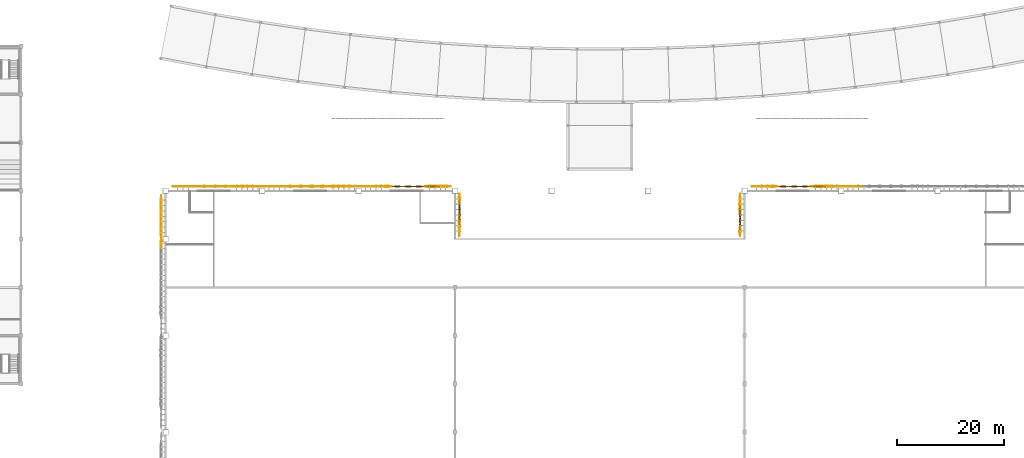
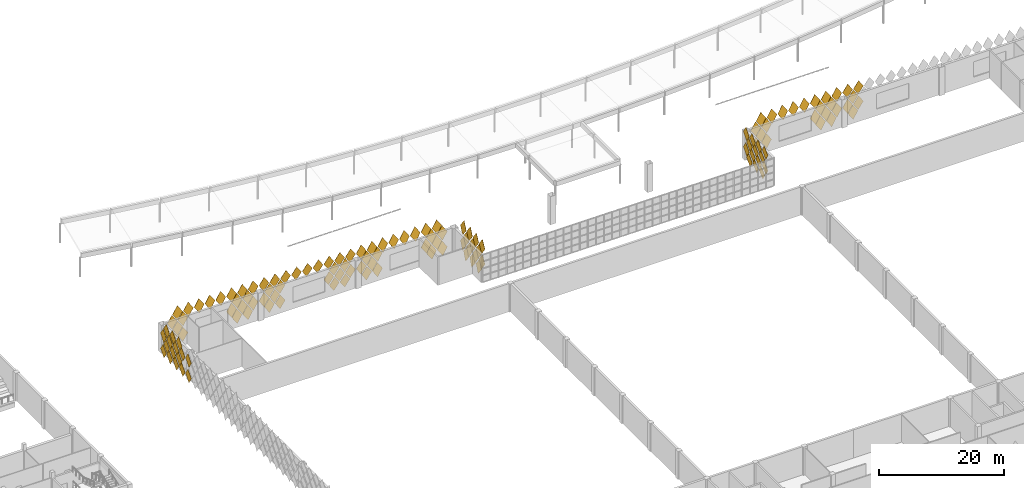
# One storey, part 177 of 185: 132 coverings.
"""IFC4 building model written with IfcOpenShell, lengths in metres."""

from ifc_helpers import new_model, si_unit, direction, frame, origin, place, context, subcontext, project, spatial, polyline, outline, extrude, material, material_profile, profile_set, type_object, element, save


model = new_model("IFC4")

# Units and contexts
model_context = context("Model", 3, precision=1e-05, world=origin(), true_north=direction((0.0, 1.0)))
body_context = subcontext(model_context, "Body", "Model", "MODEL_VIEW")
ifc_project = project(units=[si_unit("LENGTHUNIT", "METRE"), si_unit("AREAUNIT", "SQUARE_METRE"), si_unit("VOLUMEUNIT", "CUBIC_METRE"), si_unit("PLANEANGLEUNIT", "RADIAN"), si_unit("MASSUNIT", "GRAM", prefix="KILO")], contexts=[model_context])

# Site, building, storey
site_placement = place(None, origin())
site = spatial("IfcSite", under=ifc_project, at=site_placement, CompositionType="ELEMENT")
building_placement = place(site_placement, origin())
building = spatial("IfcBuilding", under=site, at=building_placement, Name="Opaline Strait Convention Centre", CompositionType="ELEMENT")
storey_placement = place(building_placement, frame((0.0, 0.0, 6.0)))
storey = spatial("IfcBuildingStorey", under=building, at=storey_placement, Name="L01", CompositionType="ELEMENT", Elevation=6.0)

# Coverings
ifc_material = material(Name="White ceramic-faced aluminium tile", Category="aluminium")
ifc_material_profile_1 = material_profile(ifc_material, outline(polyline([(0.927978515625, 0.0), (0.0, 1.39208984375), (-0.927978515625, 0.0), (0.0, -1.39208984375), (0.927978515625, 0.0)])), Name="Diamond tile 1856x2784")
ifc_profile_set_1 = profile_set([ifc_material_profile_1], Name="White ceramic-faced aluminium tile")
covering_type_1 = type_object("IfcCoveringType", Name="Diamond wall tile 1856x2784x30 pivot 1 deg", PredefinedType="CLADDING", material=ifc_profile_set_1)
for number, where, z_axis, x_axis, name in (
    (1, (103.25, 153.800048828125, 1.39208984375), (0.0, 0.999702690643, -0.024382992455), (-1.0, 0.0, 0.0), "Wall tile XT02 N"),
    (2, (101.25, 153.800048828125, 1.39208984375), (0.0, 0.999867829764, 0.016258013492), (-1.0, 0.0, 0.0), "Wall tile XT02 N"),
    (3, (102.25, 153.800048828125, 2.89208984375), (0.0, 0.999702690643, -0.024382992455), (-1.0, 0.0, 0.0), "Wall tile XT02 N"),
    (4, (101.25, 153.800048828125, 4.39208984375), (0.0, 0.999702690643, -0.024382992455), (-1.0, 0.0, 0.0), "Wall tile XT02 N"),
):
    element("IfcCovering", number, at=place(storey_placement, frame(where, z_axis=z_axis, x_axis=x_axis)), inside=storey, type_object=covering_type_1, Name=name, PredefinedType="CLADDING", context=body_context, shape_type="SweptSolid", body=[
        extrude(outline(polyline([(0.927978515625, 0.0), (0.0, 1.39208984375), (-0.927978515625, 0.0), (0.0, -1.39208984375), (0.927978515625, 0.0)])), origin(), (0.0, 0.0, 1.0), 0.030029296875),
    ])
ifc_material_profile_2 = material_profile(ifc_material, outline(polyline([(0.927978515625, 0.0), (0.0, 1.39208984375), (-0.927978515625, 0.0), (0.0, -1.39208984375), (0.927978515625, 0.0)])), Name="Diamond tile 1856x2784")
ifc_profile_set_2 = profile_set([ifc_material_profile_2], Name="White ceramic-faced aluminium tile")
covering_type_2 = type_object("IfcCoveringType", Name="Diamond wall tile 1856x2784x30 pivot 1.5 deg", PredefinedType="CLADDING", material=ifc_profile_set_2)
for number, where, z_axis, x_axis, name in (
    (5, (98.199951171875, 151.25, 4.39208984375), (-0.999471633277, 0.0, -0.032503142546), (0.0, -1.0, 0.0), "Wall tile XT03 W"),
    (6, (98.199951171875, 150.25, 5.89208984375), (-0.999471633277, 0.0, -0.032503142546), (0.0, -1.0, 0.0), "Wall tile XT03 W"),
):
    element("IfcCovering", number, at=place(storey_placement, frame(where, z_axis=z_axis, x_axis=x_axis)), inside=storey, type_object=covering_type_2, Name=name, PredefinedType="CLADDING", context=body_context, shape_type="SweptSolid", body=[
        extrude(outline(polyline([(0.927978515625, 0.0), (0.0, 1.39208984375), (-0.927978515625, 0.0), (0.0, -1.39208984375), (0.927978515625, 0.0)])), origin(), (0.0, 0.0, 1.0), 0.030029296875),
    ])
ifc_material_profile_3 = material_profile(ifc_material, outline(polyline([(0.927978515625, 0.0), (0.0, 1.39208984375), (-0.927978515625, 0.0), (0.0, -1.39208984375), (0.927978515625, 0.0)])), Name="Diamond tile 1856x2784")
ifc_profile_set_3 = profile_set([ifc_material_profile_3], Name="White ceramic-faced aluminium tile")
covering_type_3 = type_object("IfcCoveringType", Name="Diamond wall tile 1856x2784x30 pivot 2 deg", PredefinedType="CLADDING", material=ifc_profile_set_3)
for number, where, z_axis, x_axis, name in (
    (7, (121.25, 153.800048828125, 1.39208984375), (0.0, 0.999471633277, 0.032503142546), (-1.0, 0.0, 0.0), "Wall tile XT04 N"),
    (8, (119.25, 153.800048828125, 1.39208984375), (0.0, 0.999174794796, -0.040616861577), (-1.0, 0.0, 0.0), "Wall tile XT04 N"),
    (9, (120.25, 153.800048828125, 2.89208984375), (0.0, 0.999471633277, 0.032503142546), (-1.0, 0.0, 0.0), "Wall tile XT04 N"),
    (10, (118.25, 153.800048828125, 2.89208984375), (0.0, 0.999174794796, -0.040616861577), (-1.0, 0.0, 0.0), "Wall tile XT04 N"),
    (11, (119.25, 153.800048828125, 4.39208984375), (0.0, 0.999471633277, 0.032503142546), (-1.0, 0.0, 0.0), "Wall tile XT04 N"),
    (12, (115.25, 153.800048828125, 4.39208984375), (0.0, 0.999174794796, -0.040616861577), (-1.0, 0.0, 0.0), "Wall tile XT04 N"),
    (13, (103.25, 153.800048828125, 4.39208984375), (0.0, 0.999174794796, -0.040616861577), (-1.0, 0.0, 0.0), "Wall tile XT04 N"),
    (14, (118.25, 153.800048828125, 5.89208984375), (0.0, 0.999471633277, 0.032503142546), (-1.0, 0.0, 0.0), "Wall tile XT04 N"),
    (15, (116.25, 153.800048828125, 5.89208984375), (0.0, 0.999174794796, -0.040616861577), (-1.0, 0.0, 0.0), "Wall tile XT04 N"),
    (16, (114.25, 153.800048828125, 5.89208984375), (0.0, 0.999174794796, -0.040616861577), (-1.0, 0.0, 0.0), "Wall tile XT04 N"),
    (17, (102.25, 153.800048828125, 5.89208984375), (0.0, 0.999174794796, -0.040616861577), (-1.0, 0.0, 0.0), "Wall tile XT04 N"),
    (18, (153.800048828125, 145.5, 5.89208984375), (0.999174794796, 0.0, -0.040616861577), (0.0, 1.0, 0.0), "Wall tile XT04 RW"),
    (19, (206.199951171875, 151.5, 5.89208984375), (-0.999174794796, 0.0, -0.040616861577), (0.0, -1.0, 0.0), "Wall tile XT04 RE"),
):
    element("IfcCovering", number, at=place(storey_placement, frame(where, z_axis=z_axis, x_axis=x_axis)), inside=storey, type_object=covering_type_3, Name=name, PredefinedType="CLADDING", context=body_context, shape_type="SweptSolid", body=[
        extrude(outline(polyline([(0.927978515625, 0.0), (0.0, 1.39208984375), (-0.927978515625, 0.0), (0.0, -1.39208984375), (0.927978515625, 0.0)])), origin(), (0.0, 0.0, 1.0), 0.030029296875),
    ])
ifc_material_profile_4 = material_profile(ifc_material, outline(polyline([(0.927978515625, 0.0), (0.0, 1.39208984375), (-0.927978515625, 0.0), (0.0, -1.39208984375), (0.927978515625, 0.0)])), Name="Diamond tile 1856x2784")
ifc_profile_set_4 = profile_set([ifc_material_profile_4], Name="White ceramic-faced aluminium tile")
covering_type_4 = type_object("IfcCoveringType", Name="Diamond wall tile 1856x2784x30 pivot 2.5 deg", PredefinedType="CLADDING", material=ifc_profile_set_4)
for number, where, z_axis, x_axis, name in (
    (20, (227.25, 153.800048828125, 1.39208984375), (0.0, 0.998812351125, -0.048722553713), (-1.0, 0.0, 0.0), "Wall tile XT05 N"),
    (21, (211.25, 153.800048828125, 1.39208984375), (0.0, 0.998812351125, -0.048722553713), (-1.0, 0.0, 0.0), "Wall tile XT05 N"),
    (22, (209.25, 153.800048828125, 1.39208984375), (0.0, 0.999174794796, 0.040616861577), (-1.0, 0.0, 0.0), "Wall tile XT05 N"),
    (23, (139.25, 153.800048828125, 1.39208984375), (0.0, 0.998812351125, -0.048722553713), (-1.0, 0.0, 0.0), "Wall tile XT05 N"),
    (24, (137.25, 153.800048828125, 1.39208984375), (0.0, 0.999174794796, 0.040616861577), (-1.0, 0.0, 0.0), "Wall tile XT05 N"),
    (25, (228.25, 153.800048828125, 2.89208984375), (0.0, 0.999174794796, 0.040616861577), (-1.0, 0.0, 0.0), "Wall tile XT05 N"),
    (26, (226.25, 153.800048828125, 2.89208984375), (0.0, 0.998812351125, -0.048722553713), (-1.0, 0.0, 0.0), "Wall tile XT05 N"),
    (27, (210.25, 153.800048828125, 2.89208984375), (0.0, 0.998812351125, -0.048722553713), (-1.0, 0.0, 0.0), "Wall tile XT05 N"),
    (28, (138.25, 153.800048828125, 2.89208984375), (0.0, 0.998812351125, -0.048722553713), (-1.0, 0.0, 0.0), "Wall tile XT05 N"),
    (29, (136.25, 153.800048828125, 2.89208984375), (0.0, 0.999174794796, 0.040616861577), (-1.0, 0.0, 0.0), "Wall tile XT05 N"),
    (30, (116.25, 153.800048828125, 2.89208984375), (0.0, 0.998812351125, -0.048722553713), (-1.0, 0.0, 0.0), "Wall tile XT05 N"),
    (31, (227.25, 153.800048828125, 4.39208984375), (0.0, 0.999174794796, 0.040616861577), (-1.0, 0.0, 0.0), "Wall tile XT05 N"),
    (32, (209.25, 153.800048828125, 4.39208984375), (0.0, 0.998812351125, -0.048722553713), (-1.0, 0.0, 0.0), "Wall tile XT05 N"),
    (33, (137.25, 153.800048828125, 4.39208984375), (0.0, 0.998812351125, -0.048722553713), (-1.0, 0.0, 0.0), "Wall tile XT05 N"),
    (34, (226.25, 153.800048828125, 5.89208984375), (0.0, 0.999174794796, 0.040616861577), (-1.0, 0.0, 0.0), "Wall tile XT05 N"),
    (35, (224.25, 153.800048828125, 5.89208984375), (0.0, 0.998812351125, -0.048722553713), (-1.0, 0.0, 0.0), "Wall tile XT05 N"),
    (36, (136.25, 153.800048828125, 5.89208984375), (0.0, 0.998812351125, -0.048722553713), (-1.0, 0.0, 0.0), "Wall tile XT05 N"),
    (37, (134.25, 153.800048828125, 5.89208984375), (0.0, 0.999174794796, 0.040616861577), (-1.0, 0.0, 0.0), "Wall tile XT05 N"),
    (38, (120.25, 153.800048828125, 5.89208984375), (0.0, 0.999174794796, 0.040616861577), (-1.0, 0.0, 0.0), "Wall tile XT05 N"),
    (39, (104.25, 153.800048828125, 5.89208984375), (0.0, 0.998812351125, -0.048722553713), (-1.0, 0.0, 0.0), "Wall tile XT05 N"),
    (40, (98.199951171875, 150.25, 2.89208984375), (-0.998812351125, 0.0, -0.048722553713), (0.0, -1.0, 0.0), "Wall tile XT05 W"),
    (41, (98.199951171875, 149.25, 4.39208984375), (-0.998812351125, 0.0, -0.048722553713), (0.0, -1.0, 0.0), "Wall tile XT05 W"),
):
    element("IfcCovering", number, at=place(storey_placement, frame(where, z_axis=z_axis, x_axis=x_axis)), inside=storey, type_object=covering_type_4, Name=name, PredefinedType="CLADDING", context=body_context, shape_type="SweptSolid", body=[
        extrude(outline(polyline([(0.927978515625, 0.0), (0.0, 1.39208984375), (-0.927978515625, 0.0), (0.0, -1.39208984375), (0.927978515625, 0.0)])), origin(), (0.0, 0.0, 1.0), 0.030029296875),
    ])
ifc_material_profile_5 = material_profile(ifc_material, outline(polyline([(0.927978515625, 0.0), (0.0, 1.39208984375), (-0.927978515625, 0.0), (0.0, -1.39208984375), (0.927978515625, 0.0)])), Name="Diamond tile 1856x2784")
ifc_profile_set_5 = profile_set([ifc_material_profile_5], Name="White ceramic-faced aluminium tile")
covering_type_5 = type_object("IfcCoveringType", Name="Diamond wall tile 1856x2784x30 pivot 3 deg", PredefinedType="CLADDING", material=ifc_profile_set_5)
for number, where, z_axis, x_axis, name in (
    (42, (223.25, 153.800048828125, 4.39208984375), (0.0, 0.998384516691, -0.056818631031), (-1.0, 0.0, 0.0), "Wall tile XT06 N"),
    (43, (133.25, 153.800048828125, 4.39208984375), (0.0, 0.998812351125, 0.048722553713), (-1.0, 0.0, 0.0), "Wall tile XT06 N"),
    (44, (121.25, 153.800048828125, 4.39208984375), (0.0, 0.998812351125, 0.048722553713), (-1.0, 0.0, 0.0), "Wall tile XT06 N"),
    (45, (132.25, 153.800048828125, 5.89208984375), (0.0, 0.998812351125, 0.048722553713), (-1.0, 0.0, 0.0), "Wall tile XT06 N"),
    (46, (98.199951171875, 151.25, 1.39208984375), (-0.998384516691, 0.0, -0.056818631031), (0.0, -1.0, 0.0), "Wall tile XT06 W"),
    (47, (98.199951171875, 148.25, 5.89208984375), (-0.998384516691, 0.0, -0.056818631031), (0.0, -1.0, 0.0), "Wall tile XT06 W"),
):
    element("IfcCovering", number, at=place(storey_placement, frame(where, z_axis=z_axis, x_axis=x_axis)), inside=storey, type_object=covering_type_5, Name=name, PredefinedType="CLADDING", context=body_context, shape_type="SweptSolid", body=[
        extrude(outline(polyline([(0.927978515625, 0.0), (0.0, 1.39208984375), (-0.927978515625, 0.0), (0.0, -1.39208984375), (0.927978515625, 0.0)])), origin(), (0.0, 0.0, 1.0), 0.030029296875),
    ])
ifc_material_profile_6 = material_profile(ifc_material, outline(polyline([(0.927978515625, 0.0), (0.0, 1.39208984375), (-0.927978515625, 0.0), (0.0, -1.39208984375), (0.927978515625, 0.0)])), Name="Diamond tile 1856x2784")
ifc_profile_set_6 = profile_set([ifc_material_profile_6], Name="White ceramic-faced aluminium tile")
covering_type_6 = type_object("IfcCoveringType", Name="Diamond wall tile 1856x2784x30 pivot 3.5 deg", PredefinedType="CLADDING", material=ifc_profile_set_6)
for number, where, z_axis, x_axis, name in (
    (48, (115.25, 153.800048828125, 1.39208984375), (0.0, 0.99785694905, -0.065433242561), (-1.0, 0.0, 0.0), "Wall tile XT07 N"),
    (49, (224.25, 153.800048828125, 2.89208984375), (0.0, 0.99785694905, -0.065433242561), (-1.0, 0.0, 0.0), "Wall tile XT07 N"),
    (50, (134.25, 153.800048828125, 2.89208984375), (0.0, 0.99835799028, 0.057282835508), (-1.0, 0.0, 0.0), "Wall tile XT07 N"),
    (51, (114.25, 153.800048828125, 2.89208984375), (0.0, 0.99785694905, -0.065433242561), (-1.0, 0.0, 0.0), "Wall tile XT07 N"),
    (52, (151.25, 153.800048828125, 4.39208984375), (0.0, 0.99785694905, -0.065433242561), (-1.0, 0.0, 0.0), "Wall tile XT07 N"),
    (53, (139.25, 153.800048828125, 4.39208984375), (0.0, 0.99785694905, -0.065433242561), (-1.0, 0.0, 0.0), "Wall tile XT07 N"),
    (54, (113.25, 153.800048828125, 4.39208984375), (0.0, 0.99785694905, -0.065433242561), (-1.0, 0.0, 0.0), "Wall tile XT07 N"),
    (55, (228.25, 153.800048828125, 5.89208984375), (0.0, 0.99835799028, 0.057282835508), (-1.0, 0.0, 0.0), "Wall tile XT07 N"),
    (56, (222.25, 153.800048828125, 5.89208984375), (0.0, 0.99785694905, -0.065433242561), (-1.0, 0.0, 0.0), "Wall tile XT07 N"),
    (57, (150.25, 153.800048828125, 5.89208984375), (0.0, 0.99785694905, -0.065433242561), (-1.0, 0.0, 0.0), "Wall tile XT07 N"),
    (58, (138.25, 153.800048828125, 5.89208984375), (0.0, 0.99785694905, -0.065433242561), (-1.0, 0.0, 0.0), "Wall tile XT07 N"),
    (59, (112.25, 153.800048828125, 5.89208984375), (0.0, 0.99785694905, -0.065433242561), (-1.0, 0.0, 0.0), "Wall tile XT07 N"),
    (60, (110.25, 153.800048828125, 5.89208984375), (0.0, 0.99785694905, -0.065433242561), (-1.0, 0.0, 0.0), "Wall tile XT07 N"),
    (61, (98.199951171875, 149.25, 1.39208984375), (-0.99785694905, 0.0, -0.065433242561), (0.0, -1.0, 0.0), "Wall tile XT07 W"),
    (62, (98.199951171875, 143.25, 1.39208984375), (-0.99785694905, 0.0, -0.065433242561), (0.0, -1.0, 0.0), "Wall tile XT07 W"),
    (63, (98.199951171875, 147.25, 4.39208984375), (-0.99785694905, 0.0, -0.065433242561), (0.0, -1.0, 0.0), "Wall tile XT07 W"),
    (64, (98.199951171875, 146.25, 5.89208984375), (-0.99785694905, 0.0, -0.065433242561), (0.0, -1.0, 0.0), "Wall tile XT07 W"),
    (65, (153.800048828125, 145.5, 2.89208984375), (0.99785694905, 0.0, -0.065433242561), (0.0, 1.0, 0.0), "Wall tile XT07 RW"),
    (66, (206.199951171875, 151.5, 2.89208984375), (-0.99785694905, 0.0, -0.065433242561), (0.0, -1.0, 0.0), "Wall tile XT07 RE"),
):
    element("IfcCovering", number, at=place(storey_placement, frame(where, z_axis=z_axis, x_axis=x_axis)), inside=storey, type_object=covering_type_6, Name=name, PredefinedType="CLADDING", context=body_context, shape_type="SweptSolid", body=[
        extrude(outline(polyline([(0.927978515625, 0.0), (0.0, 1.39208984375), (-0.927978515625, 0.0), (0.0, -1.39208984375), (0.927978515625, 0.0)])), origin(), (0.0, 0.0, 1.0), 0.02978515625),
    ])
ifc_material_profile_7 = material_profile(ifc_material, outline(polyline([(0.927978515625, 0.0), (0.0, 1.39208984375), (-0.927978515625, 0.0), (0.0, -1.39208984375), (0.927978515625, 0.0)])), Name="Diamond tile 1856x2784")
ifc_profile_set_7 = profile_set([ifc_material_profile_7], Name="White ceramic-faced aluminium tile")
covering_type_7 = type_object("IfcCoveringType", Name="Diamond wall tile 1856x2784x30 pivot 4 deg", PredefinedType="CLADDING", material=ifc_profile_set_7)
for number, where, z_axis, x_axis, name in (
    (67, (112.25, 153.800048828125, 2.89208984375), (0.0, 0.997290013252, -0.073570574748), (-1.0, 0.0, 0.0), "Wall tile XT08 N"),
    (68, (211.25, 153.800048828125, 4.39208984375), (0.0, 0.997290013252, -0.073570574748), (-1.0, 0.0, 0.0), "Wall tile XT08 N"),
    (69, (210.25, 153.800048828125, 5.89208984375), (0.0, 0.997290013252, -0.073570574748), (-1.0, 0.0, 0.0), "Wall tile XT08 N"),
    (70, (108.25, 153.800048828125, 5.89208984375), (0.0, 0.997290013252, -0.073570574748), (-1.0, 0.0, 0.0), "Wall tile XT08 N"),
    (71, (106.25, 153.800048828125, 5.89208984375), (0.0, 0.997290013252, -0.073570574748), (-1.0, 0.0, 0.0), "Wall tile XT08 N"),
    (72, (98.199951171875, 147.25, 1.39208984375), (-0.997290013252, 0.0, -0.073570574748), (0.0, -1.0, 0.0), "Wall tile XT08 W"),
    (73, (98.199951171875, 145.25, 1.39208984375), (-0.997290013252, 0.0, -0.073570574748), (0.0, -1.0, 0.0), "Wall tile XT08 W"),
    (74, (98.199951171875, 148.25, 2.89208984375), (-0.997290013252, 0.0, -0.073570574748), (0.0, -1.0, 0.0), "Wall tile XT08 W"),
    (75, (98.199951171875, 146.25, 2.89208984375), (-0.997290013252, 0.0, -0.073570574748), (0.0, -1.0, 0.0), "Wall tile XT08 W"),
    (76, (98.199951171875, 143.25, 4.39208984375), (-0.997290013252, 0.0, -0.073570574748), (0.0, -1.0, 0.0), "Wall tile XT08 W"),
    (77, (153.800048828125, 146.5, 4.39208984375), (0.997290013252, 0.0, -0.073570574748), (0.0, 1.0, 0.0), "Wall tile XT08 RW"),
    (78, (206.199951171875, 150.5, 4.39208984375), (-0.997290013252, 0.0, -0.073570574748), (0.0, -1.0, 0.0), "Wall tile XT08 RE"),
):
    element("IfcCovering", number, at=place(storey_placement, frame(where, z_axis=z_axis, x_axis=x_axis)), inside=storey, type_object=covering_type_7, Name=name, PredefinedType="CLADDING", context=body_context, shape_type="SweptSolid", body=[
        extrude(outline(polyline([(0.927978515625, 0.0), (0.0, 1.39208984375), (-0.927978515625, 0.0), (0.0, -1.39208984375), (0.927978515625, 0.0)])), origin(), (0.0, 0.0, 1.0), 0.02978515625),
    ])
ifc_material_profile_8 = material_profile(ifc_material, outline(polyline([(0.927978515625, 0.0), (0.0, 1.39208984375), (-0.927978515625, 0.0), (0.0, -1.39208984375), (0.927978515625, 0.0)])), Name="Diamond tile 1856x2784")
ifc_profile_set_8 = profile_set([ifc_material_profile_8], Name="White ceramic-faced aluminium tile")
covering_type_8 = type_object("IfcCoveringType", Name="Diamond wall tile 1856x2784x30 pivot 4.5 deg", PredefinedType="CLADDING", material=ifc_profile_set_8)
for number, where, z_axis, x_axis, name in (
    (79, (113.25, 153.800048828125, 1.39208984375), (0.0, 0.996657521232, -0.081693239445), (-1.0, 0.0, 0.0), "Wall tile XT09 N"),
    (80, (131.25, 153.800048828125, 4.39208984375), (0.0, 0.997290013252, 0.073570574748), (-1.0, 0.0, 0.0), "Wall tile XT09 N"),
    (81, (130.25, 153.800048828125, 5.89208984375), (0.0, 0.997290013252, 0.073570574748), (-1.0, 0.0, 0.0), "Wall tile XT09 N"),
    (82, (122.25, 153.800048828125, 5.89208984375), (0.0, 0.997290013252, 0.073570574748), (-1.0, 0.0, 0.0), "Wall tile XT09 N"),
    (83, (98.199951171875, 145.25, 4.39208984375), (-0.996657521232, 0.0, -0.081693239445), (0.0, -1.0, 0.0), "Wall tile XT09 W"),
    (84, (153.800048828125, 147.5, 5.89208984375), (0.996657521232, 0.0, -0.081693239445), (0.0, 1.0, 0.0), "Wall tile XT09 RW"),
    (85, (206.199951171875, 149.5, 5.89208984375), (-0.996657521232, 0.0, -0.081693239445), (0.0, -1.0, 0.0), "Wall tile XT09 RE"),
):
    element("IfcCovering", number, at=place(storey_placement, frame(where, z_axis=z_axis, x_axis=x_axis)), inside=storey, type_object=covering_type_8, Name=name, PredefinedType="CLADDING", context=body_context, shape_type="SweptSolid", body=[
        extrude(outline(polyline([(0.927978515625, 0.0), (0.0, 1.39208984375), (-0.927978515625, 0.0), (0.0, -1.39208984375), (0.927978515625, 0.0)])), origin(), (0.0, 0.0, 1.0), 0.02978515625),
    ])
ifc_material_profile_9 = material_profile(ifc_material, outline(polyline([(0.927978515625, 0.0), (0.0, 1.39208984375), (-0.927978515625, 0.0), (0.0, -1.39208984375), (0.927978515625, 0.0)])), Name="Diamond tile 1856x2784")
ifc_profile_set_9 = profile_set([ifc_material_profile_9], Name="White ceramic-faced aluminium tile")
covering_type_9 = type_object("IfcCoveringType", Name="Diamond wall tile 1856x2784x30 pivot 5 deg", PredefinedType="CLADDING", material=ifc_profile_set_9)
for number, where, z_axis, x_axis, name in (
    (86, (223.25, 153.800048828125, 1.39208984375), (0.0, 0.995959849254, -0.089799658539), (-1.0, 0.0, 0.0), "Wall tile XT10 N"),
    (87, (133.25, 153.800048828125, 1.39208984375), (0.0, 0.996657521232, 0.081693239445), (-1.0, 0.0, 0.0), "Wall tile XT10 N"),
    (88, (132.25, 153.800048828125, 2.89208984375), (0.0, 0.996657521232, 0.081693239445), (-1.0, 0.0, 0.0), "Wall tile XT10 N"),
    (89, (220.25, 153.800048828125, 5.89208984375), (0.0, 0.995959849254, -0.089799658539), (-1.0, 0.0, 0.0), "Wall tile XT10 N"),
    (90, (124.25, 153.800048828125, 5.89208984375), (0.0, 0.996657521232, 0.081693239445), (-1.0, 0.0, 0.0), "Wall tile XT10 N"),
):
    element("IfcCovering", number, at=place(storey_placement, frame(where, z_axis=z_axis, x_axis=x_axis)), inside=storey, type_object=covering_type_9, Name=name, PredefinedType="CLADDING", context=body_context, shape_type="SweptSolid", body=[
        extrude(outline(polyline([(0.927978515625, 0.0), (0.0, 1.39208984375), (-0.927978515625, 0.0), (0.0, -1.39208984375), (0.927978515625, 0.0)])), origin(), (0.0, 0.0, 1.0), 0.02978515625),
    ])
ifc_material_profile_10 = material_profile(ifc_material, outline(polyline([(0.927978515625, 0.0), (0.0, 1.39208984375), (-0.927978515625, 0.0), (0.0, -1.39208984375), (0.927978515625, 0.0)])), Name="Diamond tile 1856x2784")
ifc_profile_set_10 = profile_set([ifc_material_profile_10], Name="White ceramic-faced aluminium tile")
covering_type_10 = type_object("IfcCoveringType", Name="Diamond wall tile 1856x2784x30 pivot 5.5 deg", PredefinedType="CLADDING", material=ifc_profile_set_10)
covering_1_placement = place(storey_placement, frame((131.25, 153.800048828125, 1.39208984375), z_axis=(0.0, 0.995959849254, 0.089799658539), x_axis=(-1.0, 0.0, 0.0)))
element("IfcCovering", 91, at=covering_1_placement, inside=storey, type_object=covering_type_10, Name="Wall tile XT11 N", PredefinedType="CLADDING", context=body_context, shape_type="SweptSolid", body=[
    extrude(outline(polyline([(0.927978515625, 0.0), (0.0, 1.39208984375), (-0.927978515625, 0.0), (0.0, -1.39208984375), (0.927978515625, 0.0)])), origin(), (0.0, 0.0, 1.0), 0.02978515625),
])
covering_2_placement = place(storey_placement, frame((222.25, 153.800048828125, 2.89208984375), z_axis=(0.0, 0.995197410875, -0.097888269922), x_axis=(-1.0, 0.0, 0.0)))
element("IfcCovering", 92, at=covering_2_placement, inside=storey, type_object=covering_type_10, Name="Wall tile XT11 N", PredefinedType="CLADDING", context=body_context, shape_type="SweptSolid", body=[
    extrude(outline(polyline([(0.927978515625, 0.0), (0.0, 1.39208984375), (-0.927978515625, 0.0), (0.0, -1.39208984375), (0.927978515625, 0.0)])), origin(), (0.0, 0.0, 1.0), 0.030029296875),
])
covering_3_placement = place(storey_placement, frame((130.25, 153.800048828125, 2.89208984375), z_axis=(0.0, 0.995959849254, 0.089799658539), x_axis=(-1.0, 0.0, 0.0)))
element("IfcCovering", 93, at=covering_3_placement, inside=storey, type_object=covering_type_10, Name="Wall tile XT11 N", PredefinedType="CLADDING", context=body_context, shape_type="SweptSolid", body=[
    extrude(outline(polyline([(0.927978515625, 0.0), (0.0, 1.39208984375), (-0.927978515625, 0.0), (0.0, -1.39208984375), (0.927978515625, 0.0)])), origin(), (0.0, 0.0, 1.0), 0.02978515625),
])
for number, where, z_axis, x_axis, name in (
    (94, (221.25, 153.800048828125, 4.39208984375), (0.0, 0.995197410875, -0.097888269922), (-1.0, 0.0, 0.0), "Wall tile XT11 N"),
    (95, (149.25, 153.800048828125, 4.39208984375), (0.0, 0.995197410875, -0.097888269922), (-1.0, 0.0, 0.0), "Wall tile XT11 N"),
    (96, (148.25, 153.800048828125, 5.89208984375), (0.0, 0.995197410875, -0.097888269922), (-1.0, 0.0, 0.0), "Wall tile XT11 N"),
    (97, (140.25, 153.800048828125, 5.89208984375), (0.0, 0.995197410875, -0.097888269922), (-1.0, 0.0, 0.0), "Wall tile XT11 N"),
):
    element("IfcCovering", number, at=place(storey_placement, frame(where, z_axis=z_axis, x_axis=x_axis)), inside=storey, type_object=covering_type_10, Name=name, PredefinedType="CLADDING", context=body_context, shape_type="SweptSolid", body=[
        extrude(outline(polyline([(0.927978515625, 0.0), (0.0, 1.39208984375), (-0.927978515625, 0.0), (0.0, -1.39208984375), (0.927978515625, 0.0)])), origin(), (0.0, 0.0, 1.0), 0.030029296875),
    ])
covering_4_placement = place(storey_placement, frame((128.25, 153.800048828125, 5.89208984375), z_axis=(0.0, 0.995959849254, 0.089799658539), x_axis=(-1.0, 0.0, 0.0)))
element("IfcCovering", 98, at=covering_4_placement, inside=storey, type_object=covering_type_10, Name="Wall tile XT11 N", PredefinedType="CLADDING", context=body_context, shape_type="SweptSolid", body=[
    extrude(outline(polyline([(0.927978515625, 0.0), (0.0, 1.39208984375), (-0.927978515625, 0.0), (0.0, -1.39208984375), (0.927978515625, 0.0)])), origin(), (0.0, 0.0, 1.0), 0.02978515625),
])
ifc_material_profile_11 = material_profile(ifc_material, outline(polyline([(0.927978515625, 0.0), (0.0, 1.39208984375), (-0.927978515625, 0.0), (0.0, -1.39208984375), (0.927978515625, 0.0)])), Name="Diamond tile 1856x2784")
ifc_profile_set_11 = profile_set([ifc_material_profile_11], Name="White ceramic-faced aluminium tile")
covering_type_11 = type_object("IfcCoveringType", Name="Diamond wall tile 1856x2784x30 pivot 6 deg", PredefinedType="CLADDING", material=ifc_profile_set_11)
for number, where, z_axis, x_axis, name in (
    (99, (151.25, 153.800048828125, 1.39208984375), (0.0, 0.994370656274, -0.105957528947), (-1.0, 0.0, 0.0), "Wall tile XT12 N"),
    (100, (150.25, 153.800048828125, 2.89208984375), (0.0, 0.994370656274, -0.105957528947), (-1.0, 0.0, 0.0), "Wall tile XT12 N"),
    (101, (212.25, 153.800048828125, 5.89208984375), (0.0, 0.994370656274, -0.105957528947), (-1.0, 0.0, 0.0), "Wall tile XT12 N"),
    (102, (126.25, 153.800048828125, 5.89208984375), (0.0, 0.995197410875, 0.097888269922), (-1.0, 0.0, 0.0), "Wall tile XT12 N"),
    (103, (153.800048828125, 146.5, 1.39208984375), (0.994370656274, 0.0, -0.105957528947), (0.0, 1.0, 0.0), "Wall tile XT12 RW"),
    (104, (153.800048828125, 151.5, 2.89208984375), (0.994370656274, 0.0, -0.105957528947), (0.0, 1.0, 0.0), "Wall tile XT12 RW"),
    (105, (153.800048828125, 151.5, 5.89208984375), (0.994370656274, 0.0, -0.105957528947), (0.0, 1.0, 0.0), "Wall tile XT12 RW"),
    (106, (206.199951171875, 150.5, 1.39208984375), (-0.994370656274, 0.0, -0.105957528947), (0.0, -1.0, 0.0), "Wall tile XT12 RE"),
    (107, (206.199951171875, 145.5, 2.89208984375), (-0.994370656274, 0.0, -0.105957528947), (0.0, -1.0, 0.0), "Wall tile XT12 RE"),
    (108, (206.199951171875, 145.5, 5.89208984375), (-0.994370656274, 0.0, -0.105957528947), (0.0, -1.0, 0.0), "Wall tile XT12 RE"),
):
    element("IfcCovering", number, at=place(storey_placement, frame(where, z_axis=z_axis, x_axis=x_axis)), inside=storey, type_object=covering_type_11, Name=name, PredefinedType="CLADDING", context=body_context, shape_type="SweptSolid", body=[
        extrude(outline(polyline([(0.927978515625, 0.0), (0.0, 1.39208984375), (-0.927978515625, 0.0), (0.0, -1.39208984375), (0.927978515625, 0.0)])), origin(), (0.0, 0.0, 1.0), 0.030029296875),
    ])
ifc_material_profile_12 = material_profile(ifc_material, outline(polyline([(0.927978515625, 0.0), (0.0, 1.39208984375), (-0.927978515625, 0.0), (0.0, -1.39208984375), (0.927978515625, 0.0)])), Name="Diamond tile 1856x2784")
ifc_profile_set_12 = profile_set([ifc_material_profile_12], Name="White ceramic-faced aluminium tile")
covering_type_12 = type_object("IfcCoveringType", Name="Diamond wall tile 1856x2784x30 pivot 6.5 deg", PredefinedType="CLADDING", material=ifc_profile_set_12)
for number, where, z_axis, x_axis, name in (
    (109, (221.25, 153.800048828125, 1.39208984375), (0.0, 0.993480071526, -0.114005909847), (-1.0, 0.0, 0.0), "Wall tile XT13 N"),
    (110, (220.25, 153.800048828125, 2.89208984375), (0.0, 0.993480071526, -0.114005909847), (-1.0, 0.0, 0.0), "Wall tile XT13 N"),
    (111, (218.25, 153.800048828125, 5.89208984375), (0.0, 0.993480071526, -0.114005909847), (-1.0, 0.0, 0.0), "Wall tile XT13 N"),
    (112, (142.25, 153.800048828125, 5.89208984375), (0.0, 0.993480071526, -0.114005909847), (-1.0, 0.0, 0.0), "Wall tile XT13 N"),
    (113, (153.800048828125, 149.5, 5.89208984375), (0.993480071526, 0.0, -0.114005909847), (0.0, 1.0, 0.0), "Wall tile XT13 RW"),
    (114, (206.199951171875, 147.5, 5.89208984375), (-0.993480071526, 0.0, -0.114005909847), (0.0, -1.0, 0.0), "Wall tile XT13 RE"),
):
    element("IfcCovering", number, at=place(storey_placement, frame(where, z_axis=z_axis, x_axis=x_axis)), inside=storey, type_object=covering_type_12, Name=name, PredefinedType="CLADDING", context=body_context, shape_type="SweptSolid", body=[
        extrude(outline(polyline([(0.927978515625, 0.0), (0.0, 1.39208984375), (-0.927978515625, 0.0), (0.0, -1.39208984375), (0.927978515625, 0.0)])), origin(), (0.0, 0.0, 1.0), 0.030029296875),
    ])
ifc_material_profile_13 = material_profile(ifc_material, outline(polyline([(0.927978515625, 0.0), (0.0, 1.39208984375), (-0.927978515625, 0.0), (0.0, -1.39208984375), (0.927978515625, 0.0)])), Name="Diamond tile 1856x2784")
ifc_profile_set_13 = profile_set([ifc_material_profile_13], Name="White ceramic-faced aluminium tile")
covering_type_13 = type_object("IfcCoveringType", Name="Diamond wall tile 1856x2784x30 pivot 7 deg", PredefinedType="CLADDING", material=ifc_profile_set_13)
for number, where, z_axis, x_axis, name in (
    (115, (149.25, 153.800048828125, 1.39208984375), (0.0, 0.992526177815, -0.122031907108), (-1.0, 0.0, 0.0), "Wall tile XT14 N"),
    (116, (148.25, 153.800048828125, 2.89208984375), (0.0, 0.992526177815, -0.122031907108), (-1.0, 0.0, 0.0), "Wall tile XT14 N"),
    (117, (216.25, 153.800048828125, 5.89208984375), (0.0, 0.992526177815, -0.122031907108), (-1.0, 0.0, 0.0), "Wall tile XT14 N"),
    (118, (214.25, 153.800048828125, 5.89208984375), (0.0, 0.992526177815, -0.122031907108), (-1.0, 0.0, 0.0), "Wall tile XT14 N"),
    (119, (146.25, 153.800048828125, 5.89208984375), (0.0, 0.992526177815, -0.122031907108), (-1.0, 0.0, 0.0), "Wall tile XT14 N"),
    (120, (144.25, 153.800048828125, 5.89208984375), (0.0, 0.992526177815, -0.122031907108), (-1.0, 0.0, 0.0), "Wall tile XT14 N"),
    (121, (153.800048828125, 150.5, 1.39208984375), (0.992526177815, 0.0, -0.122031907108), (0.0, 1.0, 0.0), "Wall tile XT14 RW"),
    (122, (153.800048828125, 147.5, 2.89208984375), (0.992526177815, 0.0, -0.122031907108), (0.0, 1.0, 0.0), "Wall tile XT14 RW"),
    (123, (153.800048828125, 148.5, 4.39208984375), (0.992526177815, 0.0, -0.122031907108), (0.0, 1.0, 0.0), "Wall tile XT14 RW"),
    (124, (153.800048828125, 150.5, 4.39208984375), (0.992526177815, 0.0, -0.122031907108), (0.0, 1.0, 0.0), "Wall tile XT14 RW"),
    (125, (206.199951171875, 146.5, 1.39208984375), (-0.992526177815, 0.0, -0.122031907108), (0.0, -1.0, 0.0), "Wall tile XT14 RE"),
    (126, (206.199951171875, 149.5, 2.89208984375), (-0.992526177815, 0.0, -0.122031907108), (0.0, -1.0, 0.0), "Wall tile XT14 RE"),
    (127, (206.199951171875, 148.5, 4.39208984375), (-0.992526177815, 0.0, -0.122031907108), (0.0, -1.0, 0.0), "Wall tile XT14 RE"),
    (128, (206.199951171875, 146.5, 4.39208984375), (-0.992526177815, 0.0, -0.122031907108), (0.0, -1.0, 0.0), "Wall tile XT14 RE"),
):
    element("IfcCovering", number, at=place(storey_placement, frame(where, z_axis=z_axis, x_axis=x_axis)), inside=storey, type_object=covering_type_13, Name=name, PredefinedType="CLADDING", context=body_context, shape_type="SweptSolid", body=[
        extrude(outline(polyline([(0.927978515625, 0.0), (0.0, 1.39208984375), (-0.927978515625, 0.0), (0.0, -1.39208984375), (0.927978515625, 0.0)])), origin(), (0.0, 0.0, 1.0), 0.030029296875),
    ])
ifc_material_profile_14 = material_profile(ifc_material, outline(polyline([(0.927978515625, 0.0), (0.0, 1.39208984375), (-0.927978515625, 0.0), (0.0, -1.39208984375), (0.927978515625, 0.0)])), Name="Diamond tile 1856x2784")
ifc_profile_set_14 = profile_set([ifc_material_profile_14], Name="White ceramic-faced aluminium tile")
covering_type_14 = type_object("IfcCoveringType", Name="Diamond wall tile 1856x2784x30 pivot 8 deg", PredefinedType="CLADDING", material=ifc_profile_set_14)
for number, where, z_axis, x_axis, name in (
    (129, (153.800048828125, 149.5, 2.89208984375), (0.990274204789, 0.0, -0.139129433731), (0.0, 1.0, 0.0), "Wall tile XT16 RW"),
    (130, (206.199951171875, 147.5, 2.89208984375), (-0.990274204789, 0.0, -0.139129433731), (0.0, -1.0, 0.0), "Wall tile XT16 RE"),
):
    element("IfcCovering", number, at=place(storey_placement, frame(where, z_axis=z_axis, x_axis=x_axis)), inside=storey, type_object=covering_type_14, Name=name, PredefinedType="CLADDING", context=body_context, shape_type="SweptSolid", body=[
        extrude(outline(polyline([(0.927978515625, 0.0), (0.0, 1.39208984375), (-0.927978515625, 0.0), (0.0, -1.39208984375), (0.927978515625, 0.0)])), origin(), (0.0, 0.0, 1.0), 0.02978515625),
    ])
ifc_material_profile_15 = material_profile(ifc_material, outline(polyline([(0.927978515625, 0.0), (0.0, 1.39208984375), (-0.927978515625, 0.0), (0.0, -1.39208984375), (0.927978515625, 0.0)])), Name="Diamond tile 1856x2784")
ifc_profile_set_15 = profile_set([ifc_material_profile_15], Name="White ceramic-faced aluminium tile")
covering_type_15 = type_object("IfcCoveringType", Name="Diamond wall tile 1856x2784x30 pivot 8.5 deg", PredefinedType="CLADDING", material=ifc_profile_set_15)
for number, where, z_axis, x_axis, name in (
    (131, (153.800048828125, 148.5, 1.39208984375), (0.987895005451, 0.0, -0.15512400912), (0.0, 1.0, 0.0), "Wall tile XT17 RW"),
    (132, (206.199951171875, 148.5, 1.39208984375), (-0.987895005451, 0.0, -0.15512400912), (0.0, -1.0, 0.0), "Wall tile XT17 RE"),
):
    element("IfcCovering", number, at=place(storey_placement, frame(where, z_axis=z_axis, x_axis=x_axis)), inside=storey, type_object=covering_type_15, Name=name, PredefinedType="CLADDING", context=body_context, shape_type="SweptSolid", body=[
        extrude(outline(polyline([(0.927978515625, 0.0), (0.0, 1.39208984375), (-0.927978515625, 0.0), (0.0, -1.39208984375), (0.927978515625, 0.0)])), origin(), (0.0, 0.0, 1.0), 0.02978515625),
    ])

save(model, "model.ifc")
